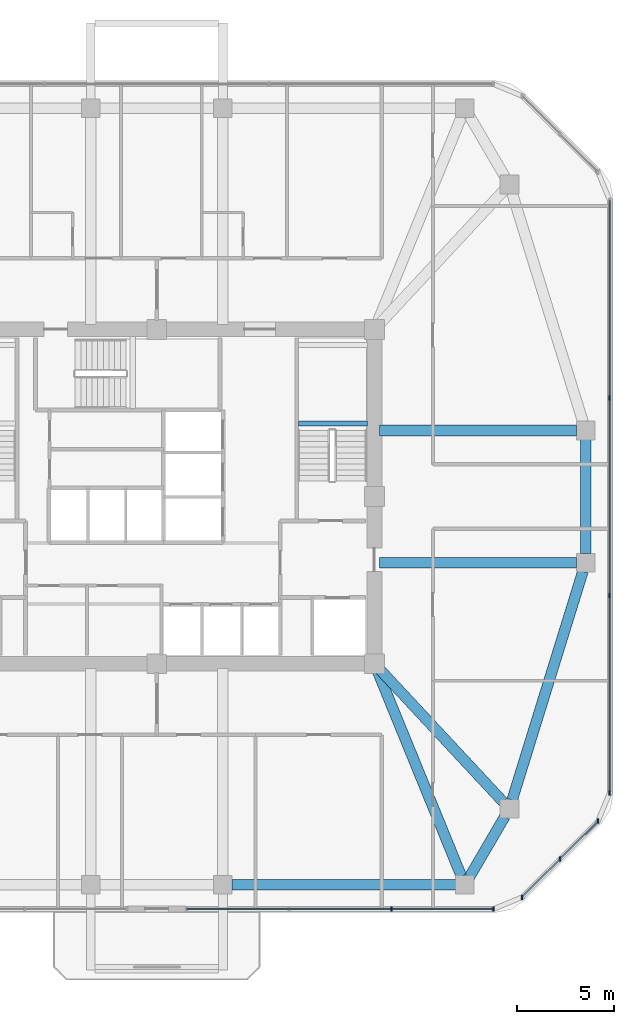
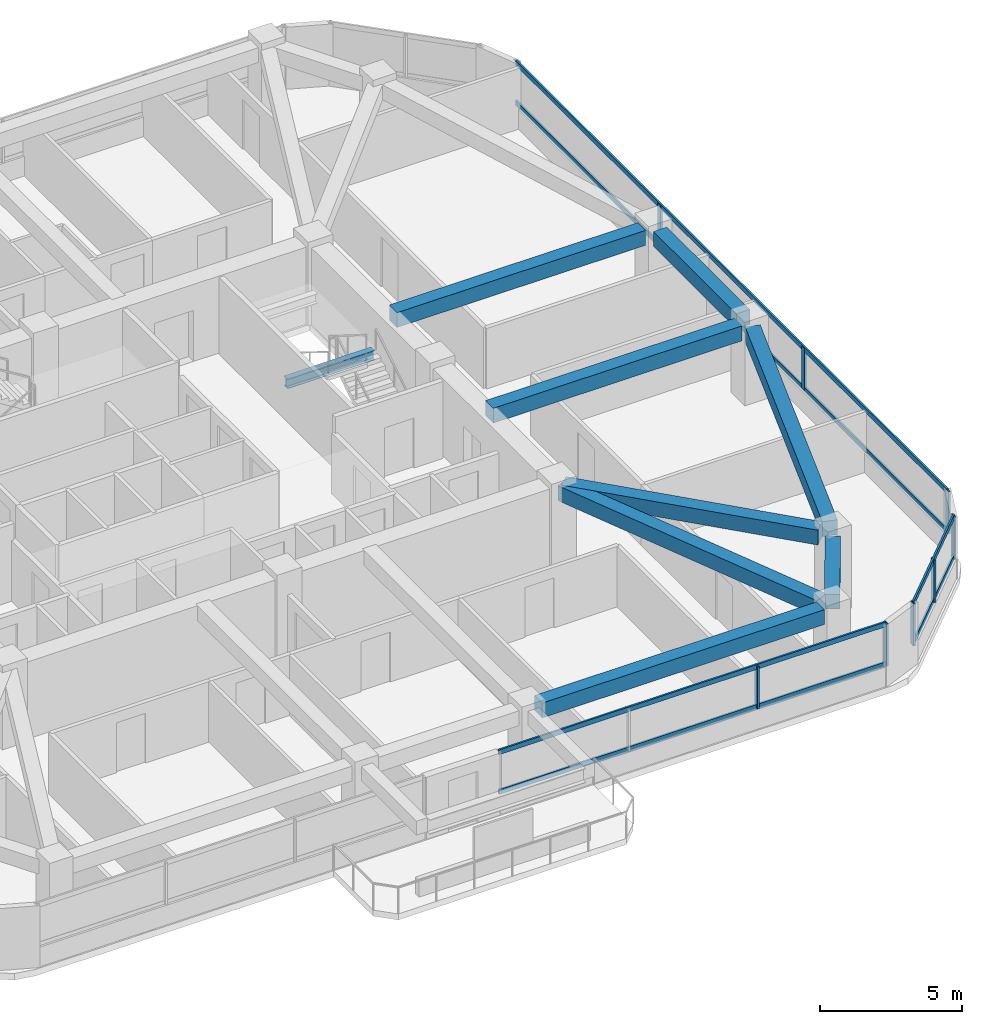
# One storey, part 3 of 12: 14 members, 9 beams, 3 elements without a shape of their own.
"""IFC4 building model written with IfcOpenShell, lengths in metres."""

from ifc_helpers import new_model, si_unit, derived_unit, direction, frame, origin, origin_2d, place, context, subcontext, project, spatial, rectangle, i_section, extrude, material, material_profile, profile_set, type_object, element, aggregate, save


model = new_model("IFC4")

# Units and contexts
model_context = context("Model", 3, precision=1e-05, world=origin(), true_north=direction((0.0, 1.0)))
body_context = subcontext(model_context, "Body", "Model", "MODEL_VIEW")
ifc_project = project(units=[si_unit("LENGTHUNIT", "METRE"), si_unit("AREAUNIT", "SQUARE_METRE"), si_unit("VOLUMEUNIT", "CUBIC_METRE"), si_unit("PLANEANGLEUNIT", "RADIAN"), si_unit("MASSUNIT", "GRAM", prefix="KILO"), derived_unit("THERMALTRANSMITTANCEUNIT", [(si_unit("POWERUNIT", "WATT"), 1), (si_unit("LENGTHUNIT", "METRE"), -2), (si_unit("THERMODYNAMICTEMPERATUREUNIT", "KELVIN"), -1)])], contexts=[model_context])

# Site, building, storey
site_placement = place(None, origin())
site = spatial("IfcSite", under=ifc_project, at=site_placement, CompositionType="ELEMENT")
building_placement = place(site_placement, origin())
building = spatial("IfcBuilding", under=site, at=building_placement, Name="Koralith Skygarden Medical Center", CompositionType="ELEMENT")
storey_placement = place(building_placement, frame((0.0, 0.0, 134.820068359375)))
storey = spatial("IfcBuildingStorey", under=building, at=storey_placement, Name="L34", CompositionType="ELEMENT", Elevation=134.820068359375)

# Curtain wall, members
ifc_material_1 = material(Name="Clear Laminated Glass", Category="glass")
curtain_wall_type = type_object("IfcCurtainWallType", Name="CW-4 Zone 3 Waist High-Wind Curtain Wall", PredefinedType="NOTDEFINED", material=ifc_material_1)
curtain_wall_1_placement = place(storey_placement, origin())
curtain_wall_1 = element("IfcCurtainWall", 1, at=curtain_wall_1_placement, inside=storey, type_object=curtain_wall_type, Name="Curtain Wall CW-L34-S-R", PredefinedType="NOTDEFINED")
ifc_material_2 = material(Name="Aluminium 6063-T6", Category="aluminium")
ifc_material_profile_1 = material_profile(ifc_material_2, rectangle(XDim=0.076904296875, YDim=0.22998046875, at=origin_2d()), Name="MUL77X230")
ifc_profile_set_1 = profile_set([ifc_material_profile_1], Name="Aluminium 6063-T6")
member_type_1 = type_object("IfcMemberType", Name="CW-4 Extruded Mullion 77x230", PredefinedType="MULLION", material=ifc_profile_set_1)
member_1_placement = place(storey_placement, frame((49.06591796875, 4.679931640625, 0.849853515625), z_axis=(0.0, 0.0, 1.0), x_axis=(1.0, 0.0, 0.0)))
member_1 = element("IfcMember", 2, at=member_1_placement, type_object=member_type_1, Name="CW-L34-S-R Mullion 3", PredefinedType="MULLION", context=body_context, shape_type="SweptSolid", body=[
    extrude(rectangle(XDim=0.076904296875, YDim=0.22998046875, at=origin_2d()), origin(), (0.0, 0.0, 1.0), 1.820068359375),
])
member_2_placement = place(storey_placement, frame((54.3291015625, 4.679931640625, 0.849853515625), z_axis=(0.0, 0.0, 1.0), x_axis=(1.0, 0.0, 0.0)))
member_2 = element("IfcMember", 3, at=member_2_placement, type_object=member_type_1, Name="CW-L34-S-R Mullion 4", PredefinedType="MULLION", context=body_context, shape_type="SweptSolid", body=[
    extrude(rectangle(XDim=0.076904296875, YDim=0.22998046875, at=origin_2d()), origin(), (0.0, 0.0, 1.0), 1.820068359375),
])

curtain_wall_2_placement = place(storey_placement, origin())
curtain_wall_2 = element("IfcCurtainWall", 4, at=curtain_wall_2_placement, inside=storey, type_object=curtain_wall_type, Name="Curtain Wall CW-L34-SE", PredefinedType="NOTDEFINED")
member_3_placement = place(storey_placement, frame((55.780029296875, 5.281005859375, 0.849853515625), z_axis=(0.0, 0.0, 1.0), x_axis=(1.0, 0.0, 0.0)))
member_3 = element("IfcMember", 5, at=member_3_placement, type_object=member_type_1, Name="CW-L34-SE Mullion 1", PredefinedType="MULLION", context=body_context, shape_type="SweptSolid", body=[
    extrude(rectangle(XDim=0.076904296875, YDim=0.22998046875, at=origin_2d()), origin(), (0.0, 0.0, 1.0), 1.820068359375),
])
member_4_placement = place(storey_placement, frame((57.741943359375, 7.241943359375, 0.849853515625), z_axis=(0.0, 0.0, 1.0), x_axis=(1.0, 0.0, 0.0)))
member_4 = element("IfcMember", 6, at=member_4_placement, type_object=member_type_1, Name="CW-L34-SE Mullion 2", PredefinedType="MULLION", context=body_context, shape_type="SweptSolid", body=[
    extrude(rectangle(XDim=0.076904296875, YDim=0.22998046875, at=origin_2d()), origin(), (0.0, 0.0, 1.0), 1.820068359375),
])
member_5_placement = place(storey_placement, frame((59.702880859375, 9.2041015625, 0.849853515625), z_axis=(0.0, 0.0, 1.0), x_axis=(1.0, 0.0, 0.0)))
member_5 = element("IfcMember", 7, at=member_5_placement, type_object=member_type_1, Name="CW-L34-SE Mullion 3", PredefinedType="MULLION", context=body_context, shape_type="SweptSolid", body=[
    extrude(rectangle(XDim=0.076904296875, YDim=0.22998046875, at=origin_2d()), origin(), (0.0, 0.0, 1.0), 1.820068359375),
])

curtain_wall_3_placement = place(storey_placement, origin())
curtain_wall_3 = element("IfcCurtainWall", 8, at=curtain_wall_3_placement, inside=storey, type_object=curtain_wall_type, Name="Curtain Wall CW-L34-E", PredefinedType="NOTDEFINED")
member_6_placement = place(storey_placement, frame((60.303955078125, 10.655029296875, 0.849853515625), z_axis=(0.0, 0.0, 1.0), x_axis=(1.0, 0.0, 0.0)))
member_6 = element("IfcMember", 9, at=member_6_placement, type_object=member_type_1, Name="CW-L34-E Mullion 1", PredefinedType="MULLION", context=body_context, shape_type="SweptSolid", body=[
    extrude(rectangle(XDim=0.076904296875, YDim=0.22998046875, at=origin_2d()), origin(), (0.0, 0.0, 1.0), 1.820068359375),
])
member_7_placement = place(storey_placement, frame((60.303955078125, 20.818115234375, 0.849853515625), z_axis=(0.0, 0.0, 1.0), x_axis=(1.0, 0.0, 0.0)))
member_7 = element("IfcMember", 10, at=member_7_placement, type_object=member_type_1, Name="CW-L34-E Mullion 2", PredefinedType="MULLION", context=body_context, shape_type="SweptSolid", body=[
    extrude(rectangle(XDim=0.076904296875, YDim=0.22998046875, at=origin_2d()), origin(), (0.0, 0.0, 1.0), 1.820068359375),
])
member_8_placement = place(storey_placement, frame((60.303955078125, 30.98193359375, 0.849853515625), z_axis=(0.0, 0.0, 1.0), x_axis=(1.0, 0.0, 0.0)))
member_8 = element("IfcMember", 11, at=member_8_placement, type_object=member_type_1, Name="CW-L34-E Mullion 3", PredefinedType="MULLION", context=body_context, shape_type="SweptSolid", body=[
    extrude(rectangle(XDim=0.076904296875, YDim=0.22998046875, at=origin_2d()), origin(), (0.0, 0.0, 1.0), 1.820068359375),
])

# Member
ifc_material_profile_2 = material_profile(ifc_material_2, rectangle(XDim=0.072021484375, YDim=0.20703125, at=origin_2d()), Name="TRN72X207")
ifc_profile_set_2 = profile_set([ifc_material_profile_2], Name="Aluminium 6063-T6")
member_type_2 = type_object("IfcMemberType", Name="CW-4 Thermal Transom 72x207", PredefinedType="USERDEFINED", material=ifc_profile_set_2)
member_9_placement = place(storey_placement, frame((38.5390625, 4.679931640625, 0.89990234375), z_axis=(1.0, 0.0, 0.0), x_axis=(0.0, 1.0, 0.0)))
member_9 = element("IfcMember", 12, at=member_9_placement, type_object=member_type_2, Name="CW-L34-S-R Transom 1", ObjectType="TRANSOM", PredefinedType="USERDEFINED", context=body_context, shape_type="SweptSolid", body=[
    extrude(rectangle(XDim=0.072021484375, YDim=0.20703125, at=origin_2d()), origin(), (0.0, 0.0, 1.0), 15.7900390625),
])

member_10_placement = place(storey_placement, frame((38.5390625, 4.679931640625, 2.619873046875), z_axis=(1.0, 0.0, 0.0), x_axis=(0.0, 1.0, 0.0)))
member_10 = element("IfcMember", 13, at=member_10_placement, type_object=member_type_2, Name="CW-L34-S-R Transom 2", ObjectType="TRANSOM", PredefinedType="USERDEFINED", context=body_context, shape_type="SweptSolid", body=[
    extrude(rectangle(XDim=0.072021484375, YDim=0.20703125, at=origin_2d()), origin(), (0.0, 0.0, 1.0), 15.7900390625),
])

aggregate(curtain_wall_1, [member_1, member_2, member_9, member_10])

member_11_placement = place(storey_placement, frame((55.780029296875, 5.281005859375, 0.89990234375), z_axis=(0.707084777957, 0.707128783731, 0.0), x_axis=(-0.707128783731, 0.707084777957, 0.0)))
member_11 = element("IfcMember", 14, at=member_11_placement, type_object=member_type_2, Name="CW-L34-SE Transom 1", ObjectType="TRANSOM", PredefinedType="USERDEFINED", context=body_context, shape_type="SweptSolid", body=[
    extrude(rectangle(XDim=0.072021484375, YDim=0.20703125, at=origin_2d()), origin(), (0.0, 0.0, 1.0), 5.5478515625),
])

member_12_placement = place(storey_placement, frame((55.780029296875, 5.281005859375, 2.619873046875), z_axis=(0.707084777957, 0.707128783731, 0.0), x_axis=(-0.707128783731, 0.707084777957, 0.0)))
member_12 = element("IfcMember", 15, at=member_12_placement, type_object=member_type_2, Name="CW-L34-SE Transom 2", ObjectType="TRANSOM", PredefinedType="USERDEFINED", context=body_context, shape_type="SweptSolid", body=[
    extrude(rectangle(XDim=0.072021484375, YDim=0.20703125, at=origin_2d()), origin(), (0.0, 0.0, 1.0), 5.5478515625),
])

aggregate(curtain_wall_2, [member_3, member_4, member_5, member_11, member_12])

member_13_placement = place(storey_placement, frame((60.303955078125, 10.655029296875, 0.89990234375), z_axis=(0.0, 1.0, 0.0), x_axis=(-1.0, 0.0, 0.0)))
member_13 = element("IfcMember", 16, at=member_13_placement, type_object=member_type_2, Name="CW-L34-E Transom 1", ObjectType="TRANSOM", PredefinedType="USERDEFINED", context=body_context, shape_type="SweptSolid", body=[
    extrude(rectangle(XDim=0.072021484375, YDim=0.20703125, at=origin_2d()), origin(), (0.0, 0.0, 1.0), 30.489990234375),
])

member_14_placement = place(storey_placement, frame((60.303955078125, 10.655029296875, 2.619873046875), z_axis=(0.0, 1.0, 0.0), x_axis=(-1.0, 0.0, 0.0)))
member_14 = element("IfcMember", 17, at=member_14_placement, type_object=member_type_2, Name="CW-L34-E Transom 2", ObjectType="TRANSOM", PredefinedType="USERDEFINED", context=body_context, shape_type="SweptSolid", body=[
    extrude(rectangle(XDim=0.072021484375, YDim=0.20703125, at=origin_2d()), origin(), (0.0, 0.0, 1.0), 30.489990234375),
])

aggregate(curtain_wall_3, [member_6, member_7, member_8, member_13, member_14])

# Beams
ifc_material_3 = material(Name="Steel ASTM A992 Grade 50", Category="steel")
ifc_material_profile_3 = material_profile(ifc_material_3, i_section(OverallWidth=0.260009765625, OverallDepth=0.4150390625, WebThickness=0.010009765625, FlangeThickness=0.016845703125, at=origin_2d()), Name="W16X67")
ifc_profile_set_3 = profile_set([ifc_material_profile_3], Name="Steel ASTM A992 Grade 50")
beam_type_1 = type_object("IfcBeamType", Name="Clinical Floor Joist W16X67", PredefinedType="JOIST", material=ifc_profile_set_3)
beam_1_placement = place(storey_placement, frame((44.280029296875, 29.659912109375, 1.392822265625), z_axis=(1.0, 0.0, 0.0), x_axis=(0.0, 1.0, 0.0)))
element("IfcBeam", 18, at=beam_1_placement, inside=storey, type_object=beam_type_1, Name="L34 Stair ST2 Half-Landing Support Beam 1A", PredefinedType="JOIST", context=body_context, shape_type="SweptSolid", body=[
    extrude(i_section(OverallWidth=0.260009765625, OverallDepth=0.4150390625, WebThickness=0.010009765625, FlangeThickness=0.016845703125, at=origin_2d()), origin(), (0.0, 0.0, 1.0), 3.56494140625),
])
ifc_material_4 = material(Name="Concrete C45/55", Category="concrete")
ifc_material_profile_4 = material_profile(ifc_material_4, rectangle(XDim=0.550048828125, YDim=0.639892578125, at=origin_2d()), Name="RCB550X640")
ifc_profile_set_4 = profile_set([ifc_material_profile_4], Name="Concrete C45/55")
beam_type_2 = type_object("IfcBeamType", Name="Radial Collector Beam RCB550X640", PredefinedType="BEAM", material=ifc_profile_set_4)
beam_2_placement = place(storey_placement, frame((48.294921875, 17.069091796875, 3.0), z_axis=(0.378344544364, -0.92566484526, 0.0), x_axis=(0.92566484526, 0.378344544364, 0.0)))
element("IfcBeam", 19, at=beam_2_placement, inside=storey, type_object=beam_type_2, Name="L34 Radial Collector Beam RB-06", PredefinedType="BEAM", context=body_context, shape_type="SweptSolid", body=[
    extrude(rectangle(XDim=0.550048828125, YDim=0.639892578125, at=origin_2d()), origin(), (0.0, 0.0, 1.0), 11.574462890625),
])
beam_3_placement = place(storey_placement, frame((48.3701171875, 17.116943359375, 3.0), z_axis=(0.681369011591, -0.731940072713, 0.0), x_axis=(0.731940072713, 0.681369011591, 0.0)))
element("IfcBeam", 20, at=beam_3_placement, inside=storey, type_object=beam_type_2, Name="L34 Radial Collector Beam RB-07", PredefinedType="BEAM", context=body_context, shape_type="SweptSolid", body=[
    extrude(rectangle(XDim=0.550048828125, YDim=0.639892578125, at=origin_2d()), origin(), (0.0, 0.0, 1.0), 9.471923828125),
])
for number, where, z_axis, x_axis, name in (
    (21, (48.449951171875, 22.5, 3.0), (1.0, 0.0, 0.0), (0.0, 1.0, 0.0), "L34 Radial Collector Beam RB-08"),
    (22, (48.449951171875, 29.300048828125, 3.0), (1.0, 0.0, 0.0), (0.0, 1.0, 0.0), "L34 Radial Collector Beam RB-09"),
):
    element("IfcBeam", number, at=place(storey_placement, frame(where, z_axis=z_axis, x_axis=x_axis)), inside=storey, type_object=beam_type_2, Name=name, PredefinedType="BEAM", context=body_context, shape_type="SweptSolid", body=[
        extrude(rectangle(XDim=0.550048828125, YDim=0.639892578125, at=origin_2d()), origin(), (0.0, 0.0, 1.0), 10.14404296875),
    ])
ifc_material_profile_5 = material_profile(ifc_material_4, rectangle(XDim=0.550048828125, YDim=0.639892578125, at=origin_2d()), Name="RCB550X640")
ifc_profile_set_5 = profile_set([ifc_material_profile_5], Name="Concrete C45/55")
beam_type_3 = type_object("IfcBeamType", Name="Zone 2-3 Spandrel Beam RCB550X640", PredefinedType="SPANDREL", material=ifc_profile_set_5)
beam_4_placement = place(storey_placement, frame((40.8701171875, 5.919921875, 3.0), z_axis=(1.0, 0.0, 0.0), x_axis=(0.0, 1.0, 0.0)))
element("IfcBeam", 23, at=beam_4_placement, inside=storey, type_object=beam_type_3, Name="L34 Perimeter Spandrel Beam SP-05", PredefinedType="SPANDREL", context=body_context, shape_type="SweptSolid", body=[
    extrude(rectangle(XDim=0.550048828125, YDim=0.639892578125, at=origin_2d()), origin(), (0.0, 0.0, 1.0), 11.511962890625),
])
beam_5_placement = place(storey_placement, frame((53.089111328125, 6.325927734375, 3.0), z_axis=(0.504861391295, 0.863200426077, 0.0), x_axis=(-0.863200426077, 0.504861391295, 0.0)))
element("IfcBeam", 24, at=beam_5_placement, inside=storey, type_object=beam_type_3, Name="L34 Perimeter Spandrel Beam SP-06", PredefinedType="SPANDREL", context=body_context, shape_type="SweptSolid", body=[
    extrude(rectangle(XDim=0.550048828125, YDim=0.639892578125, at=origin_2d()), origin(), (0.0, 0.0, 1.0), 3.600830078125),
])
beam_6_placement = place(storey_placement, frame((55.282958984375, 10.2890625, 3.0), z_axis=(0.295793585147, 0.955251880389, 0.0), x_axis=(-0.955251880389, 0.295793585147, 0.0)))
element("IfcBeam", 25, at=beam_6_placement, inside=storey, type_object=beam_type_3, Name="L34 Perimeter Spandrel Beam SP-07", PredefinedType="SPANDREL", context=body_context, shape_type="SweptSolid", body=[
    extrude(rectangle(XDim=0.550048828125, YDim=0.639892578125, at=origin_2d()), origin(), (0.0, 0.0, 1.0), 12.31298828125),
])
beam_7_placement = place(storey_placement, frame((59.06396484375, 22.969970703125, 3.0), z_axis=(0.0, 1.0, 0.0), x_axis=(-1.0, 0.0, 0.0)))
element("IfcBeam", 26, at=beam_7_placement, inside=storey, type_object=beam_type_3, Name="L34 Perimeter Spandrel Beam SP-08", PredefinedType="SPANDREL", context=body_context, shape_type="SweptSolid", body=[
    extrude(rectangle(XDim=0.550048828125, YDim=0.639892578125, at=origin_2d()), origin(), (0.0, 0.0, 1.0), 5.860107421875),
])

save(model, "model.ifc")
